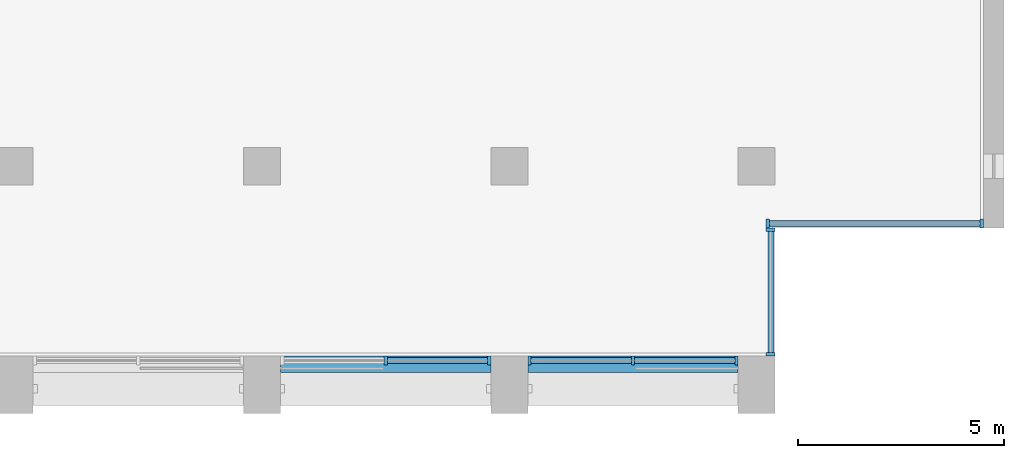
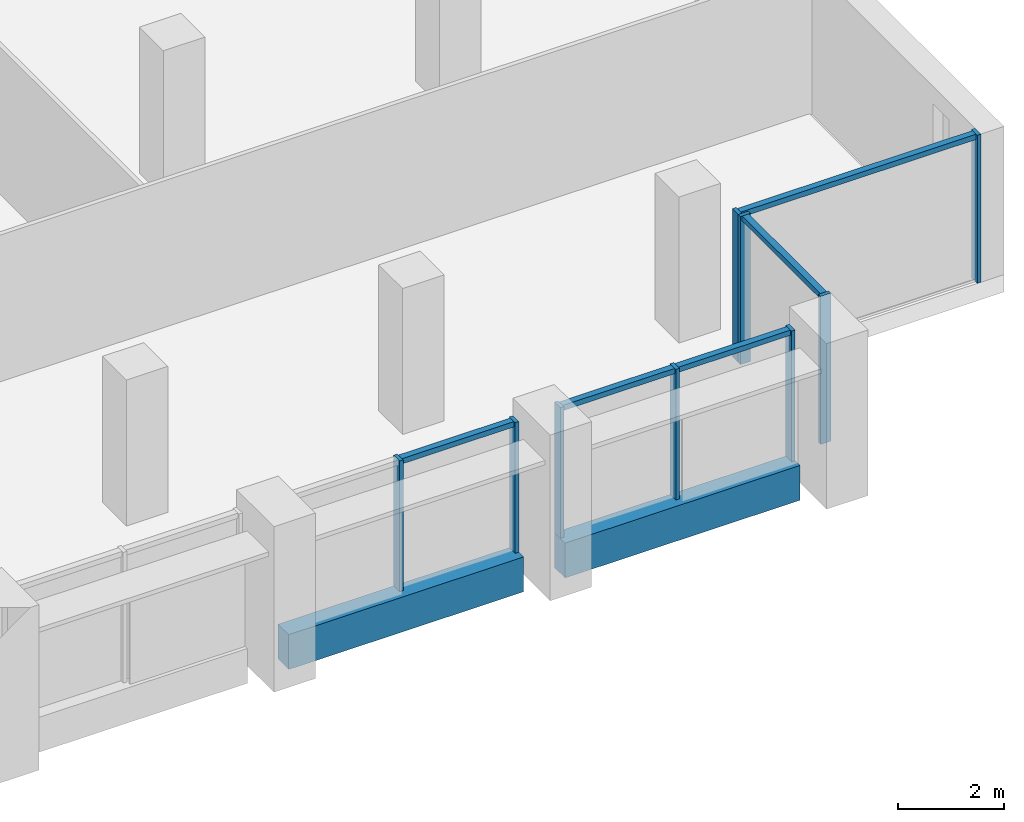
# One storey, part 3 of 14: 14 members, 2 beams, 4 elements without a shape of their own.
"""IFC4 building model written with IfcOpenShell, lengths in metres."""

from ifc_helpers import new_model, si_unit, direction, frame, origin, origin_2d, place, context, subcontext, project, spatial, rectangle, extrude, material, material_profile, profile_set, type_object, element, aggregate, save


model = new_model("IFC4")

# Units and contexts
model_context = context("Model", 3, precision=1e-05, world=origin(), true_north=direction((0.0, 1.0)))
body_context = subcontext(model_context, "Body", "Model", "MODEL_VIEW")
ifc_project = project(units=[si_unit("LENGTHUNIT", "METRE"), si_unit("AREAUNIT", "SQUARE_METRE"), si_unit("VOLUMEUNIT", "CUBIC_METRE"), si_unit("PLANEANGLEUNIT", "RADIAN"), si_unit("MASSUNIT", "GRAM", prefix="KILO")], contexts=[model_context])

# Site, building, storey
site_placement = place(None, origin())
site = spatial("IfcSite", under=ifc_project, at=site_placement, CompositionType="ELEMENT")
building_placement = place(site_placement, origin())
building = spatial("IfcBuilding", under=site, at=building_placement, Name="Calvaro Tower", CompositionType="ELEMENT")
storey_placement = place(building_placement, frame((0.0, 0.0, 243.14990234375)))
storey = spatial("IfcBuildingStorey", under=building, at=storey_placement, Name="L61", CompositionType="ELEMENT", Elevation=243.14990234375)

# Curtain wall, members
ifc_material_1 = material(Name="Anodised aluminium", Category="aluminium")
curtain_wall_type = type_object("IfcCurtainWallType", Name="Executive curtain wall", PredefinedType="NOTDEFINED", material=ifc_material_1)
curtain_wall_1_placement = place(storey_placement, origin())
curtain_wall_1 = element("IfcCurtainWall", 1, at=curtain_wall_1_placement, inside=storey, type_object=curtain_wall_type, Name="CW4 south curtain wall", PredefinedType="NOTDEFINED")
ifc_material_2 = material(Name="Anodised aluminium", Category="aluminium")
ifc_material_profile_1 = material_profile(ifc_material_2, rectangle(XDim=0.219970703125, YDim=0.080078125, at=origin_2d()), Name="Mullion S4 80 x 220")
ifc_profile_set_1 = profile_set([ifc_material_profile_1], Name="Anodised aluminium")
member_type_1 = type_object("IfcMemberType", Name="Mullion S4 80 x 220", PredefinedType="MULLION", material=ifc_profile_set_1)
member_1_placement = place(storey_placement, frame((51.0, 5.2900390625, 0.0), z_axis=(0.0, 0.0, 1.0), x_axis=(0.0, 1.0, 0.0)))
member_1 = element("IfcMember", 2, at=member_1_placement, type_object=member_type_1, Name="CW4 mullion 2", PredefinedType="MULLION", context=body_context, shape_type="SweptSolid", body=[
    extrude(rectangle(XDim=0.219970703125, YDim=0.080078125, at=origin_2d()), origin(), (0.0, 0.0, 1.0), 3.0),
])
member_2_placement = place(storey_placement, frame((53.510009765625, 5.2900390625, 0.0), z_axis=(0.0, 0.0, 1.0), x_axis=(0.0, 1.0, 0.0)))
member_2 = element("IfcMember", 3, at=member_2_placement, type_object=member_type_1, Name="CW4 mullion 3", PredefinedType="MULLION", context=body_context, shape_type="SweptSolid", body=[
    extrude(rectangle(XDim=0.219970703125, YDim=0.080078125, at=origin_2d()), origin(), (0.0, 0.0, 1.0), 3.0),
])

curtain_wall_2_placement = place(storey_placement, origin())
curtain_wall_2 = element("IfcCurtainWall", 4, at=curtain_wall_2_placement, inside=storey, type_object=curtain_wall_type, Name="CW4 south curtain wall", PredefinedType="NOTDEFINED")
member_3_placement = place(storey_placement, frame((54.489990234375, 5.2900390625, 0.0), z_axis=(0.0, 0.0, 1.0), x_axis=(0.0, 1.0, 0.0)))
member_3 = element("IfcMember", 5, at=member_3_placement, type_object=member_type_1, Name="CW4 mullion 1", PredefinedType="MULLION", context=body_context, shape_type="SweptSolid", body=[
    extrude(rectangle(XDim=0.219970703125, YDim=0.080078125, at=origin_2d()), origin(), (0.0, 0.0, 1.0), 3.0),
])
member_4_placement = place(storey_placement, frame((57.0, 5.2900390625, 0.0), z_axis=(0.0, 0.0, 1.0), x_axis=(0.0, 1.0, 0.0)))
member_4 = element("IfcMember", 6, at=member_4_placement, type_object=member_type_1, Name="CW4 mullion 2", PredefinedType="MULLION", context=body_context, shape_type="SweptSolid", body=[
    extrude(rectangle(XDim=0.219970703125, YDim=0.080078125, at=origin_2d()), origin(), (0.0, 0.0, 1.0), 3.0),
])
member_5_placement = place(storey_placement, frame((59.510009765625, 5.2900390625, 0.0), z_axis=(0.0, 0.0, 1.0), x_axis=(0.0, 1.0, 0.0)))
member_5 = element("IfcMember", 7, at=member_5_placement, type_object=member_type_1, Name="CW4 mullion 3", PredefinedType="MULLION", context=body_context, shape_type="SweptSolid", body=[
    extrude(rectangle(XDim=0.219970703125, YDim=0.080078125, at=origin_2d()), origin(), (0.0, 0.0, 1.0), 3.0),
])

curtain_wall_3_placement = place(storey_placement, origin())
curtain_wall_3 = element("IfcCurtainWall", 8, at=curtain_wall_3_placement, inside=storey, type_object=curtain_wall_type, Name="CW4 corner curtain wall", PredefinedType="NOTDEFINED")
member_6_placement = place(storey_placement, frame((60.340087890625, 5.43994140625, 0.0), z_axis=(0.0, 0.0, 1.0), x_axis=(-1.0, 0.0, 0.0)))
member_6 = element("IfcMember", 9, at=member_6_placement, type_object=member_type_1, Name="CW4 mullion 1", PredefinedType="MULLION", context=body_context, shape_type="SweptSolid", body=[
    extrude(rectangle(XDim=0.219970703125, YDim=0.080078125, at=origin_2d()), origin(), (0.0, 0.0, 1.0), 3.400146484375),
])
member_7_placement = place(storey_placement, frame((60.340087890625, 8.4599609375, 0.0), z_axis=(0.0, 0.0, 1.0), x_axis=(-1.0, 0.0, 0.0)))
member_7 = element("IfcMember", 10, at=member_7_placement, type_object=member_type_1, Name="CW4 mullion 2", PredefinedType="MULLION", context=body_context, shape_type="SweptSolid", body=[
    extrude(rectangle(XDim=0.219970703125, YDim=0.080078125, at=origin_2d()), origin(), (0.0, 0.0, 1.0), 3.400146484375),
])

curtain_wall_4_placement = place(storey_placement, origin())
curtain_wall_4 = element("IfcCurtainWall", 11, at=curtain_wall_4_placement, inside=storey, type_object=curtain_wall_type, Name="CW4 corner curtain wall", PredefinedType="NOTDEFINED")
member_8_placement = place(storey_placement, frame((60.27001953125, 8.610107421875, 0.0), z_axis=(0.0, 0.0, 1.0), x_axis=(0.0, 1.0, 0.0)))
member_8 = element("IfcMember", 12, at=member_8_placement, type_object=member_type_1, Name="CW4 mullion 1", PredefinedType="MULLION", context=body_context, shape_type="SweptSolid", body=[
    extrude(rectangle(XDim=0.219970703125, YDim=0.080078125, at=origin_2d()), origin(), (0.0, 0.0, 1.0), 3.400146484375),
])
member_9_placement = place(storey_placement, frame((65.4599609375, 8.610107421875, 0.0), z_axis=(0.0, 0.0, 1.0), x_axis=(0.0, 1.0, 0.0)))
member_9 = element("IfcMember", 13, at=member_9_placement, type_object=member_type_1, Name="CW4 mullion 2", PredefinedType="MULLION", context=body_context, shape_type="SweptSolid", body=[
    extrude(rectangle(XDim=0.219970703125, YDim=0.080078125, at=origin_2d()), origin(), (0.0, 0.0, 1.0), 3.400146484375),
])

# Beams
ifc_material_3 = material(Name="Concrete C50/60 precast", Category="concrete")
ifc_material_profile_2 = material_profile(ifc_material_3, rectangle(XDim=0.39990234375, YDim=0.800048828125, at=origin_2d()), Name="RC 400x800")
ifc_profile_set_2 = profile_set([ifc_material_profile_2], Name="Concrete C50/60 precast")
beam_type = type_object("IfcBeamType", Name="Spandrel beam 400x800 C50/60", PredefinedType="SPANDREL", material=ifc_profile_set_2)
for number, where, z_axis, x_axis, name in (
    (14, (48.449951171875, 5.199951171875, -0.39990234375), (1.0, 0.0, 0.0), (0.0, 1.0, 0.0), "Spandrel beam"),
    (15, (54.449951171875, 5.199951171875, -0.39990234375), (1.0, 0.0, 0.0), (0.0, 1.0, 0.0), "Spandrel beam"),
):
    element("IfcBeam", number, at=place(storey_placement, frame(where, z_axis=z_axis, x_axis=x_axis)), inside=storey, type_object=beam_type, Name=name, PredefinedType="SPANDREL", context=body_context, shape_type="SweptSolid", body=[
        extrude(rectangle(XDim=0.39990234375, YDim=0.800048828125, at=origin_2d()), origin(), (0.0, 0.0, 1.0), 5.10009765625),
    ])

# Member
ifc_material_4 = material(Name="Anodised aluminium", Category="aluminium")
ifc_material_profile_3 = material_profile(ifc_material_4, rectangle(XDim=0.139892578125, YDim=0.1201171875, at=origin_2d()), Name="Transom S4 120 x 140")
ifc_profile_set_3 = profile_set([ifc_material_profile_3], Name="Anodised aluminium")
member_type_2 = type_object("IfcMemberType", Name="Transom S4 120 x 140", PredefinedType="USERDEFINED", material=ifc_profile_set_3)
member_10_placement = place(storey_placement, frame((51.0400390625, 5.2900390625, 2.940185546875), z_axis=(1.0, 0.0, 0.0), x_axis=(0.0, 1.0, 0.0)))
member_10 = element("IfcMember", 16, at=member_10_placement, type_object=member_type_2, Name="CW4 transom 2.1", ObjectType="TRANSOM", PredefinedType="USERDEFINED", context=body_context, shape_type="SweptSolid", body=[
    extrude(rectangle(XDim=0.139892578125, YDim=0.1201171875, at=origin_2d()), origin(), (0.0, 0.0, 1.0), 2.429931640625),
])

aggregate(curtain_wall_1, [member_1, member_2, member_10])

member_11_placement = place(storey_placement, frame((54.530029296875, 5.2900390625, 2.940185546875), z_axis=(1.0, 0.0, 0.0), x_axis=(0.0, 1.0, 0.0)))
member_11 = element("IfcMember", 17, at=member_11_placement, type_object=member_type_2, Name="CW4 transom 1.1", ObjectType="TRANSOM", PredefinedType="USERDEFINED", context=body_context, shape_type="SweptSolid", body=[
    extrude(rectangle(XDim=0.139892578125, YDim=0.1201171875, at=origin_2d()), origin(), (0.0, 0.0, 1.0), 2.429931640625),
])

member_12_placement = place(storey_placement, frame((57.0400390625, 5.2900390625, 2.940185546875), z_axis=(1.0, 0.0, 0.0), x_axis=(0.0, 1.0, 0.0)))
member_12 = element("IfcMember", 18, at=member_12_placement, type_object=member_type_2, Name="CW4 transom 2.1", ObjectType="TRANSOM", PredefinedType="USERDEFINED", context=body_context, shape_type="SweptSolid", body=[
    extrude(rectangle(XDim=0.139892578125, YDim=0.1201171875, at=origin_2d()), origin(), (0.0, 0.0, 1.0), 2.429931640625),
])

aggregate(curtain_wall_2, [member_3, member_4, member_5, member_11, member_12])

member_13_placement = place(storey_placement, frame((60.340087890625, 5.47998046875, 3.340087890625), z_axis=(0.0, 1.0, 0.0), x_axis=(-1.0, 0.0, 0.0)))
member_13 = element("IfcMember", 19, at=member_13_placement, type_object=member_type_2, Name="CW4 transom 1.1", ObjectType="TRANSOM", PredefinedType="USERDEFINED", context=body_context, shape_type="SweptSolid", body=[
    extrude(rectangle(XDim=0.139892578125, YDim=0.1201171875, at=origin_2d()), origin(), (0.0, 0.0, 1.0), 2.93994140625),
])

aggregate(curtain_wall_3, [member_6, member_7, member_13])

member_14_placement = place(storey_placement, frame((60.31005859375, 8.610107421875, 3.340087890625), z_axis=(1.0, 0.0, 0.0), x_axis=(0.0, 1.0, 0.0)))
member_14 = element("IfcMember", 20, at=member_14_placement, type_object=member_type_2, Name="CW4 transom 1.1", ObjectType="TRANSOM", PredefinedType="USERDEFINED", context=body_context, shape_type="SweptSolid", body=[
    extrude(rectangle(XDim=0.139892578125, YDim=0.1201171875, at=origin_2d()), origin(), (0.0, 0.0, 1.0), 5.10986328125),
])

aggregate(curtain_wall_4, [member_8, member_9, member_14])

save(model, "model.ifc")
